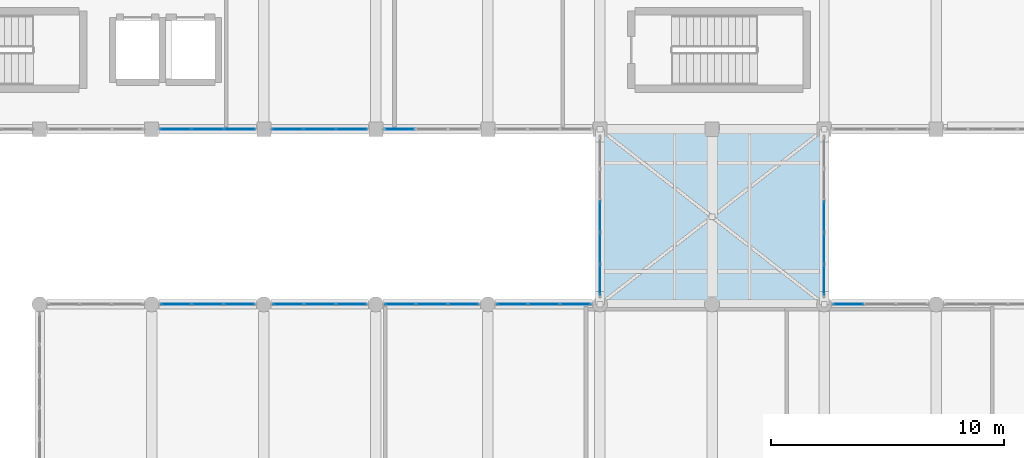
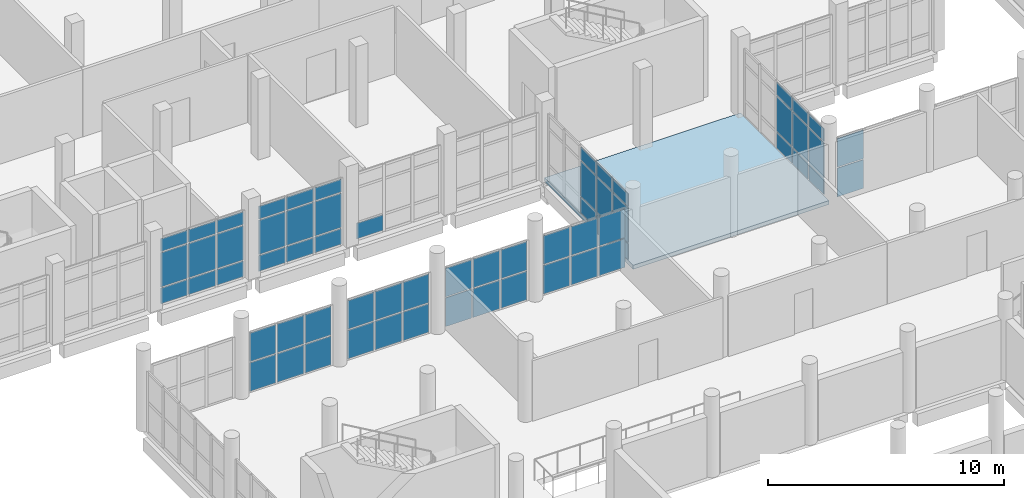
# One storey, part 132 of 164: 63 plates, 1 slab, 10 elements without a shape of their own.
"""IFC4 building model written with IfcOpenShell, lengths in metres."""

from ifc_helpers import new_model, si_unit, direction, frame, origin, origin_2d, place, context, subcontext, project, spatial, polyline, rectangle, outline, extrude, material, layer, layer_set, type_object, element, aggregate, save


model = new_model("IFC4")

# Units and contexts
model_context = context("Model", 3, precision=1e-05, world=origin(), true_north=direction((0.0, 1.0)))
body_context = subcontext(model_context, "Body", "Model", "MODEL_VIEW")
ifc_project = project(units=[si_unit("LENGTHUNIT", "METRE"), si_unit("AREAUNIT", "SQUARE_METRE"), si_unit("VOLUMEUNIT", "CUBIC_METRE"), si_unit("PLANEANGLEUNIT", "RADIAN"), si_unit("MASSUNIT", "GRAM", prefix="KILO")], contexts=[model_context])

# Site, building, storey
site_placement = place(None, origin())
site = spatial("IfcSite", under=ifc_project, at=site_placement, CompositionType="ELEMENT")
building_placement = place(site_placement, origin())
building = spatial("IfcBuilding", under=site, at=building_placement, Name="Mawjan Specialist Oncology Clinic", CompositionType="ELEMENT")
storey_placement = place(building_placement, frame((0.0, 0.0, 5.0)))
storey = spatial("IfcBuildingStorey", under=building, at=storey_placement, Name="L01", CompositionType="ELEMENT", Elevation=5.0)

# Curtain wall, plates
ifc_material_1 = material(Name="Unitised spectrally selective aluminium curtain wall", Category="aluminium")
ifc_layer_1 = layer(ifc_material_1, 0.179931640625, Name="Unitised spectrally selective aluminium curtain wall", Category="aluminium")
ifc_layer_set_1 = layer_set([ifc_layer_1], Name="Unitised spectrally selective aluminium curtain wall")
curtain_wall_type_1 = type_object("IfcCurtainWallType", Name="CW-56", PredefinedType="NOTDEFINED", material=ifc_layer_set_1)
curtain_wall_1_placement = place(storey_placement, origin())
curtain_wall_1 = element("IfcCurtainWall", 1, at=curtain_wall_1_placement, inside=storey, type_object=curtain_wall_type_1, Name="L01 Unitised Curtain Wall CW-L01-104", PredefinedType="NOTDEFINED")
ifc_material_2 = material(Name="Spectrally selective double low-E glazing", Category="glass")
ifc_layer_2 = layer(ifc_material_2, 0.031982421875, Name="Spectrally selective double low-E glazing", Category="glass")
ifc_layer_set_2 = layer_set([ifc_layer_2], Name="Spectrally selective double low-E glazing")
plate_type = type_object("IfcPlateType", Name="CW-P32", PredefinedType="CURTAIN_PANEL", material=ifc_layer_set_2)
plate_1_placement = place(storey_placement, frame((65.844970703125, 75.800048828125, 0.06005859375), z_axis=(0.0, 0.0, 1.0), x_axis=(1.0, 0.0, 0.0)))
plate_1 = element("IfcPlate", 2, at=plate_1_placement, type_object=plate_type, Name="CW-56 panel 1.1", PredefinedType="CURTAIN_PANEL", context=body_context, shape_type="SweptSolid", body=[
    extrude(rectangle(XDim=1.280029296875, YDim=0.031982421875, at=origin_2d()), origin(), (0.0, 0.0, 1.0), 1.47998046875),
])
plate_2_placement = place(storey_placement, frame((65.844970703125, 75.800048828125, 1.60009765625), z_axis=(0.0, 0.0, 1.0), x_axis=(1.0, 0.0, 0.0)))
plate_2 = element("IfcPlate", 3, at=plate_2_placement, type_object=plate_type, Name="CW-56 panel 1.2", PredefinedType="CURTAIN_PANEL", context=body_context, shape_type="SweptSolid", body=[
    extrude(rectangle(XDim=1.280029296875, YDim=0.031982421875, at=origin_2d()), origin(), (0.0, 0.0, 1.0), 1.47998046875),
])
plate_3_placement = place(storey_placement, frame((67.199951171875, 75.800048828125, 0.06005859375), z_axis=(0.0, 0.0, 1.0), x_axis=(1.0, 0.0, 0.0)))
plate_3 = element("IfcPlate", 4, at=plate_3_placement, type_object=plate_type, Name="CW-56 panel 2.1", PredefinedType="CURTAIN_PANEL", context=body_context, shape_type="SweptSolid", body=[
    extrude(rectangle(XDim=1.31005859375, YDim=0.031982421875, at=origin_2d()), origin(), (0.0, 0.0, 1.0), 1.47998046875),
])
plate_4_placement = place(storey_placement, frame((67.199951171875, 75.800048828125, 1.60009765625), z_axis=(0.0, 0.0, 1.0), x_axis=(1.0, 0.0, 0.0)))
plate_4 = element("IfcPlate", 5, at=plate_4_placement, type_object=plate_type, Name="CW-56 panel 2.2", PredefinedType="CURTAIN_PANEL", context=body_context, shape_type="SweptSolid", body=[
    extrude(rectangle(XDim=1.31005859375, YDim=0.031982421875, at=origin_2d()), origin(), (0.0, 0.0, 1.0), 1.47998046875),
])
plate_5_placement = place(storey_placement, frame((68.554931640625, 75.800048828125, 0.06005859375), z_axis=(0.0, 0.0, 1.0), x_axis=(1.0, 0.0, 0.0)))
plate_5 = element("IfcPlate", 6, at=plate_5_placement, type_object=plate_type, Name="CW-56 panel 3.1", PredefinedType="CURTAIN_PANEL", context=body_context, shape_type="SweptSolid", body=[
    extrude(rectangle(XDim=1.280029296875, YDim=0.031982421875, at=origin_2d()), origin(), (0.0, 0.0, 1.0), 1.47998046875),
])
plate_6_placement = place(storey_placement, frame((68.554931640625, 75.800048828125, 1.60009765625), z_axis=(0.0, 0.0, 1.0), x_axis=(1.0, 0.0, 0.0)))
plate_6 = element("IfcPlate", 7, at=plate_6_placement, type_object=plate_type, Name="CW-56 panel 3.2", PredefinedType="CURTAIN_PANEL", context=body_context, shape_type="SweptSolid", body=[
    extrude(rectangle(XDim=1.280029296875, YDim=0.031982421875, at=origin_2d()), origin(), (0.0, 0.0, 1.0), 1.47998046875),
])
aggregate(curtain_wall_1, [plate_1, plate_2, plate_3, plate_4, plate_5, plate_6])

curtain_wall_2_placement = place(storey_placement, origin())
curtain_wall_2 = element("IfcCurtainWall", 8, at=curtain_wall_2_placement, inside=storey, type_object=curtain_wall_type_1, Name="L01 Unitised Curtain Wall CW-L01-105", PredefinedType="NOTDEFINED")
plate_7_placement = place(storey_placement, frame((70.64501953125, 75.800048828125, 0.06005859375), z_axis=(0.0, 0.0, 1.0), x_axis=(1.0, 0.0, 0.0)))
plate_7 = element("IfcPlate", 9, at=plate_7_placement, type_object=plate_type, Name="CW-56 panel 1.1", PredefinedType="CURTAIN_PANEL", context=body_context, shape_type="SweptSolid", body=[
    extrude(rectangle(XDim=1.280029296875, YDim=0.031982421875, at=origin_2d()), origin(), (0.0, 0.0, 1.0), 1.47998046875),
])
plate_8_placement = place(storey_placement, frame((70.64501953125, 75.800048828125, 1.60009765625), z_axis=(0.0, 0.0, 1.0), x_axis=(1.0, 0.0, 0.0)))
plate_8 = element("IfcPlate", 10, at=plate_8_placement, type_object=plate_type, Name="CW-56 panel 1.2", PredefinedType="CURTAIN_PANEL", context=body_context, shape_type="SweptSolid", body=[
    extrude(rectangle(XDim=1.280029296875, YDim=0.031982421875, at=origin_2d()), origin(), (0.0, 0.0, 1.0), 1.47998046875),
])
plate_9_placement = place(storey_placement, frame((72.0, 75.800048828125, 0.06005859375), z_axis=(0.0, 0.0, 1.0), x_axis=(1.0, 0.0, 0.0)))
plate_9 = element("IfcPlate", 11, at=plate_9_placement, type_object=plate_type, Name="CW-56 panel 2.1", PredefinedType="CURTAIN_PANEL", context=body_context, shape_type="SweptSolid", body=[
    extrude(rectangle(XDim=1.31005859375, YDim=0.031982421875, at=origin_2d()), origin(), (0.0, 0.0, 1.0), 1.47998046875),
])
plate_10_placement = place(storey_placement, frame((72.0, 75.800048828125, 1.60009765625), z_axis=(0.0, 0.0, 1.0), x_axis=(1.0, 0.0, 0.0)))
plate_10 = element("IfcPlate", 12, at=plate_10_placement, type_object=plate_type, Name="CW-56 panel 2.2", PredefinedType="CURTAIN_PANEL", context=body_context, shape_type="SweptSolid", body=[
    extrude(rectangle(XDim=1.31005859375, YDim=0.031982421875, at=origin_2d()), origin(), (0.0, 0.0, 1.0), 1.47998046875),
])
plate_11_placement = place(storey_placement, frame((73.35498046875, 75.800048828125, 0.06005859375), z_axis=(0.0, 0.0, 1.0), x_axis=(1.0, 0.0, 0.0)))
plate_11 = element("IfcPlate", 13, at=plate_11_placement, type_object=plate_type, Name="CW-56 panel 3.1", PredefinedType="CURTAIN_PANEL", context=body_context, shape_type="SweptSolid", body=[
    extrude(rectangle(XDim=1.280029296875, YDim=0.031982421875, at=origin_2d()), origin(), (0.0, 0.0, 1.0), 1.47998046875),
])
plate_12_placement = place(storey_placement, frame((73.35498046875, 75.800048828125, 1.60009765625), z_axis=(0.0, 0.0, 1.0), x_axis=(1.0, 0.0, 0.0)))
plate_12 = element("IfcPlate", 14, at=plate_12_placement, type_object=plate_type, Name="CW-56 panel 3.2", PredefinedType="CURTAIN_PANEL", context=body_context, shape_type="SweptSolid", body=[
    extrude(rectangle(XDim=1.280029296875, YDim=0.031982421875, at=origin_2d()), origin(), (0.0, 0.0, 1.0), 1.47998046875),
])
aggregate(curtain_wall_2, [plate_7, plate_8, plate_9, plate_10, plate_11, plate_12])

curtain_wall_3_placement = place(storey_placement, origin())
curtain_wall_3 = element("IfcCurtainWall", 15, at=curtain_wall_3_placement, inside=storey, type_object=curtain_wall_type_1, Name="L01 Unitised Curtain Wall CW-L01-106", PredefinedType="NOTDEFINED")
plate_13_placement = place(storey_placement, frame((75.445068359375, 75.800048828125, 0.06005859375), z_axis=(0.0, 0.0, 1.0), x_axis=(1.0, 0.0, 0.0)))
plate_13 = element("IfcPlate", 16, at=plate_13_placement, type_object=plate_type, Name="CW-56 panel 1.1", PredefinedType="CURTAIN_PANEL", context=body_context, shape_type="SweptSolid", body=[
    extrude(rectangle(XDim=1.280029296875, YDim=0.031982421875, at=origin_2d()), origin(), (0.0, 0.0, 1.0), 1.47998046875),
])
plate_14_placement = place(storey_placement, frame((75.445068359375, 75.800048828125, 1.60009765625), z_axis=(0.0, 0.0, 1.0), x_axis=(1.0, 0.0, 0.0)))
plate_14 = element("IfcPlate", 17, at=plate_14_placement, type_object=plate_type, Name="CW-56 panel 1.2", PredefinedType="CURTAIN_PANEL", context=body_context, shape_type="SweptSolid", body=[
    extrude(rectangle(XDim=1.280029296875, YDim=0.031982421875, at=origin_2d()), origin(), (0.0, 0.0, 1.0), 1.47998046875),
])
plate_15_placement = place(storey_placement, frame((76.800048828125, 75.800048828125, 0.06005859375), z_axis=(0.0, 0.0, 1.0), x_axis=(1.0, 0.0, 0.0)))
plate_15 = element("IfcPlate", 18, at=plate_15_placement, type_object=plate_type, Name="CW-56 panel 2.1", PredefinedType="CURTAIN_PANEL", context=body_context, shape_type="SweptSolid", body=[
    extrude(rectangle(XDim=1.31005859375, YDim=0.031982421875, at=origin_2d()), origin(), (0.0, 0.0, 1.0), 1.47998046875),
])
plate_16_placement = place(storey_placement, frame((76.800048828125, 75.800048828125, 1.60009765625), z_axis=(0.0, 0.0, 1.0), x_axis=(1.0, 0.0, 0.0)))
plate_16 = element("IfcPlate", 19, at=plate_16_placement, type_object=plate_type, Name="CW-56 panel 2.2", PredefinedType="CURTAIN_PANEL", context=body_context, shape_type="SweptSolid", body=[
    extrude(rectangle(XDim=1.31005859375, YDim=0.031982421875, at=origin_2d()), origin(), (0.0, 0.0, 1.0), 1.47998046875),
])
plate_17_placement = place(storey_placement, frame((78.155029296875, 75.800048828125, 0.06005859375), z_axis=(0.0, 0.0, 1.0), x_axis=(1.0, 0.0, 0.0)))
plate_17 = element("IfcPlate", 20, at=plate_17_placement, type_object=plate_type, Name="CW-56 panel 3.1", PredefinedType="CURTAIN_PANEL", context=body_context, shape_type="SweptSolid", body=[
    extrude(rectangle(XDim=1.280029296875, YDim=0.031982421875, at=origin_2d()), origin(), (0.0, 0.0, 1.0), 1.47998046875),
])
plate_18_placement = place(storey_placement, frame((78.155029296875, 75.800048828125, 1.60009765625), z_axis=(0.0, 0.0, 1.0), x_axis=(1.0, 0.0, 0.0)))
plate_18 = element("IfcPlate", 21, at=plate_18_placement, type_object=plate_type, Name="CW-56 panel 3.2", PredefinedType="CURTAIN_PANEL", context=body_context, shape_type="SweptSolid", body=[
    extrude(rectangle(XDim=1.280029296875, YDim=0.031982421875, at=origin_2d()), origin(), (0.0, 0.0, 1.0), 1.47998046875),
])
aggregate(curtain_wall_3, [plate_13, plate_14, plate_15, plate_16, plate_17, plate_18])

curtain_wall_4_placement = place(storey_placement, origin())
curtain_wall_4 = element("IfcCurtainWall", 22, at=curtain_wall_4_placement, inside=storey, type_object=curtain_wall_type_1, Name="L01 Unitised Curtain Wall CW-L01-107", PredefinedType="NOTDEFINED")
plate_19_placement = place(storey_placement, frame((80.2451171875, 75.800048828125, 0.06005859375), z_axis=(0.0, 0.0, 1.0), x_axis=(1.0, 0.0, 0.0)))
plate_19 = element("IfcPlate", 23, at=plate_19_placement, type_object=plate_type, Name="CW-56 panel 1.1", PredefinedType="CURTAIN_PANEL", context=body_context, shape_type="SweptSolid", body=[
    extrude(rectangle(XDim=1.280029296875, YDim=0.031982421875, at=origin_2d()), origin(), (0.0, 0.0, 1.0), 1.47998046875),
])
plate_20_placement = place(storey_placement, frame((80.2451171875, 75.800048828125, 1.60009765625), z_axis=(0.0, 0.0, 1.0), x_axis=(1.0, 0.0, 0.0)))
plate_20 = element("IfcPlate", 24, at=plate_20_placement, type_object=plate_type, Name="CW-56 panel 1.2", PredefinedType="CURTAIN_PANEL", context=body_context, shape_type="SweptSolid", body=[
    extrude(rectangle(XDim=1.280029296875, YDim=0.031982421875, at=origin_2d()), origin(), (0.0, 0.0, 1.0), 1.47998046875),
])
plate_21_placement = place(storey_placement, frame((81.60009765625, 75.800048828125, 0.06005859375), z_axis=(0.0, 0.0, 1.0), x_axis=(1.0, 0.0, 0.0)))
plate_21 = element("IfcPlate", 25, at=plate_21_placement, type_object=plate_type, Name="CW-56 panel 2.1", PredefinedType="CURTAIN_PANEL", context=body_context, shape_type="SweptSolid", body=[
    extrude(rectangle(XDim=1.31005859375, YDim=0.031982421875, at=origin_2d()), origin(), (0.0, 0.0, 1.0), 1.47998046875),
])
plate_22_placement = place(storey_placement, frame((81.60009765625, 75.800048828125, 1.60009765625), z_axis=(0.0, 0.0, 1.0), x_axis=(1.0, 0.0, 0.0)))
plate_22 = element("IfcPlate", 26, at=plate_22_placement, type_object=plate_type, Name="CW-56 panel 2.2", PredefinedType="CURTAIN_PANEL", context=body_context, shape_type="SweptSolid", body=[
    extrude(rectangle(XDim=1.31005859375, YDim=0.031982421875, at=origin_2d()), origin(), (0.0, 0.0, 1.0), 1.47998046875),
])
plate_23_placement = place(storey_placement, frame((82.955078125, 75.800048828125, 0.06005859375), z_axis=(0.0, 0.0, 1.0), x_axis=(1.0, 0.0, 0.0)))
plate_23 = element("IfcPlate", 27, at=plate_23_placement, type_object=plate_type, Name="CW-56 panel 3.1", PredefinedType="CURTAIN_PANEL", context=body_context, shape_type="SweptSolid", body=[
    extrude(rectangle(XDim=1.280029296875, YDim=0.031982421875, at=origin_2d()), origin(), (0.0, 0.0, 1.0), 1.47998046875),
])
plate_24_placement = place(storey_placement, frame((82.955078125, 75.800048828125, 1.60009765625), z_axis=(0.0, 0.0, 1.0), x_axis=(1.0, 0.0, 0.0)))
plate_24 = element("IfcPlate", 28, at=plate_24_placement, type_object=plate_type, Name="CW-56 panel 3.2", PredefinedType="CURTAIN_PANEL", context=body_context, shape_type="SweptSolid", body=[
    extrude(rectangle(XDim=1.280029296875, YDim=0.031982421875, at=origin_2d()), origin(), (0.0, 0.0, 1.0), 1.47998046875),
])
aggregate(curtain_wall_4, [plate_19, plate_20, plate_21, plate_22, plate_23, plate_24])

ifc_material_3 = material(Name="Unitised spectrally selective aluminium curtain wall", Category="aluminium")
ifc_layer_3 = layer(ifc_material_3, 0.179931640625, Name="Unitised spectrally selective aluminium curtain wall", Category="aluminium")
ifc_layer_set_3 = layer_set([ifc_layer_3], Name="Unitised spectrally selective aluminium curtain wall")
curtain_wall_type_2 = type_object("IfcCurtainWallType", Name="CW-57", PredefinedType="NOTDEFINED", material=ifc_layer_set_3)
curtain_wall_5_placement = place(storey_placement, origin())
curtain_wall_5 = element("IfcCurtainWall", 29, at=curtain_wall_5_placement, inside=storey, type_object=curtain_wall_type_2, Name="L01 Unitised Curtain Wall CW-L01-108", PredefinedType="NOTDEFINED")
plate_25_placement = place(storey_placement, frame((84.0, 76.8447265625, 0.06494140625), z_axis=(0.0, 0.0, 1.0), x_axis=(0.0, 1.0, 0.0)))
plate_25 = element("IfcPlate", 30, at=plate_25_placement, type_object=plate_type, Name="CW-57 panel 1.1", PredefinedType="CURTAIN_PANEL", context=body_context, shape_type="SweptSolid", body=[
    extrude(rectangle(XDim=1.26953125, YDim=0.031982421875, at=origin_2d()), origin(), (0.0, 0.0, 1.0), 0.802490234375),
])
plate_26_placement = place(storey_placement, frame((84.0, 76.8447265625, 0.9326171875), z_axis=(0.0, 0.0, 1.0), x_axis=(0.0, 1.0, 0.0)))
plate_26 = element("IfcPlate", 31, at=plate_26_placement, type_object=plate_type, Name="CW-57 panel 1.2", PredefinedType="CURTAIN_PANEL", context=body_context, shape_type="SweptSolid", body=[
    extrude(rectangle(XDim=1.26953125, YDim=0.031982421875, at=origin_2d()), origin(), (0.0, 0.0, 1.0), 1.820068359375),
])
plate_27_placement = place(storey_placement, frame((84.0, 76.8447265625, 2.8173828125), z_axis=(0.0, 0.0, 1.0), x_axis=(0.0, 1.0, 0.0)))
plate_27 = element("IfcPlate", 32, at=plate_27_placement, type_object=plate_type, Name="CW-57 panel 1.3", PredefinedType="CURTAIN_PANEL", context=body_context, shape_type="SweptSolid", body=[
    extrude(rectangle(XDim=1.26953125, YDim=0.031982421875, at=origin_2d()), origin(), (0.0, 0.0, 1.0), 0.652587890625),
])
plate_28_placement = place(storey_placement, frame((84.0, 78.195556640625, 0.06494140625), z_axis=(0.0, 0.0, 1.0), x_axis=(0.0, 1.0, 0.0)))
plate_28 = element("IfcPlate", 33, at=plate_28_placement, type_object=plate_type, Name="CW-57 panel 2.1", PredefinedType="CURTAIN_PANEL", context=body_context, shape_type="SweptSolid", body=[
    extrude(rectangle(XDim=1.302001953125, YDim=0.031982421875, at=origin_2d()), origin(), (0.0, 0.0, 1.0), 0.802490234375),
])
plate_29_placement = place(storey_placement, frame((84.0, 78.195556640625, 0.9326171875), z_axis=(0.0, 0.0, 1.0), x_axis=(0.0, 1.0, 0.0)))
plate_29 = element("IfcPlate", 34, at=plate_29_placement, type_object=plate_type, Name="CW-57 panel 2.2", PredefinedType="CURTAIN_PANEL", context=body_context, shape_type="SweptSolid", body=[
    extrude(rectangle(XDim=1.302001953125, YDim=0.031982421875, at=origin_2d()), origin(), (0.0, 0.0, 1.0), 1.820068359375),
])
plate_30_placement = place(storey_placement, frame((84.0, 78.195556640625, 2.8173828125), z_axis=(0.0, 0.0, 1.0), x_axis=(0.0, 1.0, 0.0)))
plate_30 = element("IfcPlate", 35, at=plate_30_placement, type_object=plate_type, Name="CW-57 panel 2.3", PredefinedType="CURTAIN_PANEL", context=body_context, shape_type="SweptSolid", body=[
    extrude(rectangle(XDim=1.302001953125, YDim=0.031982421875, at=origin_2d()), origin(), (0.0, 0.0, 1.0), 0.652587890625),
])
plate_31_placement = place(storey_placement, frame((84.0, 79.5625, 0.06494140625), z_axis=(0.0, 0.0, 1.0), x_axis=(0.0, 1.0, 0.0)))
plate_31 = element("IfcPlate", 36, at=plate_31_placement, type_object=plate_type, Name="CW-57 panel 3.1", PredefinedType="CURTAIN_PANEL", context=body_context, shape_type="SweptSolid", body=[
    extrude(rectangle(XDim=1.302001953125, YDim=0.031982421875, at=origin_2d()), origin(), (0.0, 0.0, 1.0), 0.802490234375),
])
plate_32_placement = place(storey_placement, frame((84.0, 79.5625, 0.9326171875), z_axis=(0.0, 0.0, 1.0), x_axis=(0.0, 1.0, 0.0)))
plate_32 = element("IfcPlate", 37, at=plate_32_placement, type_object=plate_type, Name="CW-57 panel 3.2", PredefinedType="CURTAIN_PANEL", context=body_context, shape_type="SweptSolid", body=[
    extrude(rectangle(XDim=1.302001953125, YDim=0.031982421875, at=origin_2d()), origin(), (0.0, 0.0, 1.0), 1.820068359375),
])
plate_33_placement = place(storey_placement, frame((84.0, 79.5625, 2.8173828125), z_axis=(0.0, 0.0, 1.0), x_axis=(0.0, 1.0, 0.0)))
plate_33 = element("IfcPlate", 38, at=plate_33_placement, type_object=plate_type, Name="CW-57 panel 3.3", PredefinedType="CURTAIN_PANEL", context=body_context, shape_type="SweptSolid", body=[
    extrude(rectangle(XDim=1.302001953125, YDim=0.031982421875, at=origin_2d()), origin(), (0.0, 0.0, 1.0), 0.652587890625),
])
aggregate(curtain_wall_5, [plate_25, plate_26, plate_27, plate_28, plate_29, plate_30, plate_31, plate_32, plate_33])

# Curtain wall, plate
ifc_material_4 = material(Name="Unitised spectrally selective aluminium curtain wall", Category="aluminium")
ifc_layer_4 = layer(ifc_material_4, 0.179931640625, Name="Unitised spectrally selective aluminium curtain wall", Category="aluminium")
ifc_layer_set_4 = layer_set([ifc_layer_4], Name="Unitised spectrally selective aluminium curtain wall")
curtain_wall_type_3 = type_object("IfcCurtainWallType", Name="CW-58", PredefinedType="NOTDEFINED", material=ifc_layer_set_4)
curtain_wall_6_placement = place(storey_placement, origin())
curtain_wall_6 = element("IfcCurtainWall", 39, at=curtain_wall_6_placement, inside=storey, type_object=curtain_wall_type_3, Name="L01 Unitised Curtain Wall CW-L01-110", PredefinedType="NOTDEFINED")
plate_34_placement = place(storey_placement, frame((75.42822265625, 83.300048828125, 0.06005859375), z_axis=(0.0, 0.0, 1.0), x_axis=(-1.0, 0.0, 0.0)))
plate_34 = element("IfcPlate", 40, at=plate_34_placement, type_object=plate_type, Name="CW-58 panel 3.1", PredefinedType="CURTAIN_PANEL", context=body_context, shape_type="SweptSolid", body=[
    extrude(rectangle(XDim=1.296630859375, YDim=0.031982421875, at=origin_2d()), origin(), (0.0, 0.0, 1.0), 0.81005859375),
])
aggregate(curtain_wall_6, [plate_34])

# Curtain wall, plates
curtain_wall_7_placement = place(storey_placement, origin())
curtain_wall_7 = element("IfcCurtainWall", 41, at=curtain_wall_7_placement, inside=storey, type_object=curtain_wall_type_3, Name="L01 Unitised Curtain Wall CW-L01-111", PredefinedType="NOTDEFINED")
plate_35_placement = place(storey_placement, frame((73.37158203125, 83.300048828125, 0.06005859375), z_axis=(0.0, 0.0, 1.0), x_axis=(-1.0, 0.0, 0.0)))
plate_35 = element("IfcPlate", 42, at=plate_35_placement, type_object=plate_type, Name="CW-58 panel 1.1", PredefinedType="CURTAIN_PANEL", context=body_context, shape_type="SweptSolid", body=[
    extrude(rectangle(XDim=1.296630859375, YDim=0.031982421875, at=origin_2d()), origin(), (0.0, 0.0, 1.0), 0.81005859375),
])
plate_36_placement = place(storey_placement, frame((73.37158203125, 83.300048828125, 0.929931640625), z_axis=(0.0, 0.0, 1.0), x_axis=(-1.0, 0.0, 0.0)))
plate_36 = element("IfcPlate", 43, at=plate_36_placement, type_object=plate_type, Name="CW-58 panel 1.2", PredefinedType="CURTAIN_PANEL", context=body_context, shape_type="SweptSolid", body=[
    extrude(rectangle(XDim=1.296630859375, YDim=0.031982421875, at=origin_2d()), origin(), (0.0, 0.0, 1.0), 1.77490234375),
])
plate_37_placement = place(storey_placement, frame((73.37158203125, 83.300048828125, 2.76513671875), z_axis=(0.0, 0.0, 1.0), x_axis=(-1.0, 0.0, 0.0)))
plate_37 = element("IfcPlate", 44, at=plate_37_placement, type_object=plate_type, Name="CW-58 panel 1.3", PredefinedType="CURTAIN_PANEL", context=body_context, shape_type="SweptSolid", body=[
    extrude(rectangle(XDim=1.296630859375, YDim=0.031982421875, at=origin_2d()), origin(), (0.0, 0.0, 1.0), 0.659912109375),
])
plate_38_placement = place(storey_placement, frame((72.0, 83.300048828125, 0.06005859375), z_axis=(0.0, 0.0, 1.0), x_axis=(-1.0, 0.0, 0.0)))
plate_38 = element("IfcPlate", 45, at=plate_38_placement, type_object=plate_type, Name="CW-58 panel 2.1", PredefinedType="CURTAIN_PANEL", context=body_context, shape_type="SweptSolid", body=[
    extrude(rectangle(XDim=1.32666015625, YDim=0.031982421875, at=origin_2d()), origin(), (0.0, 0.0, 1.0), 0.81005859375),
])
plate_39_placement = place(storey_placement, frame((72.0, 83.300048828125, 0.929931640625), z_axis=(0.0, 0.0, 1.0), x_axis=(-1.0, 0.0, 0.0)))
plate_39 = element("IfcPlate", 46, at=plate_39_placement, type_object=plate_type, Name="CW-58 panel 2.2", PredefinedType="CURTAIN_PANEL", context=body_context, shape_type="SweptSolid", body=[
    extrude(rectangle(XDim=1.32666015625, YDim=0.031982421875, at=origin_2d()), origin(), (0.0, 0.0, 1.0), 1.77490234375),
])
plate_40_placement = place(storey_placement, frame((72.0, 83.300048828125, 2.76513671875), z_axis=(0.0, 0.0, 1.0), x_axis=(-1.0, 0.0, 0.0)))
plate_40 = element("IfcPlate", 47, at=plate_40_placement, type_object=plate_type, Name="CW-58 panel 2.3", PredefinedType="CURTAIN_PANEL", context=body_context, shape_type="SweptSolid", body=[
    extrude(rectangle(XDim=1.32666015625, YDim=0.031982421875, at=origin_2d()), origin(), (0.0, 0.0, 1.0), 0.659912109375),
])
plate_41_placement = place(storey_placement, frame((70.62841796875, 83.300048828125, 0.06005859375), z_axis=(0.0, 0.0, 1.0), x_axis=(-1.0, 0.0, 0.0)))
plate_41 = element("IfcPlate", 48, at=plate_41_placement, type_object=plate_type, Name="CW-58 panel 3.1", PredefinedType="CURTAIN_PANEL", context=body_context, shape_type="SweptSolid", body=[
    extrude(rectangle(XDim=1.296630859375, YDim=0.031982421875, at=origin_2d()), origin(), (0.0, 0.0, 1.0), 0.81005859375),
])
plate_42_placement = place(storey_placement, frame((70.62841796875, 83.300048828125, 0.929931640625), z_axis=(0.0, 0.0, 1.0), x_axis=(-1.0, 0.0, 0.0)))
plate_42 = element("IfcPlate", 49, at=plate_42_placement, type_object=plate_type, Name="CW-58 panel 3.2", PredefinedType="CURTAIN_PANEL", context=body_context, shape_type="SweptSolid", body=[
    extrude(rectangle(XDim=1.296630859375, YDim=0.031982421875, at=origin_2d()), origin(), (0.0, 0.0, 1.0), 1.77490234375),
])
plate_43_placement = place(storey_placement, frame((70.62841796875, 83.300048828125, 2.76513671875), z_axis=(0.0, 0.0, 1.0), x_axis=(-1.0, 0.0, 0.0)))
plate_43 = element("IfcPlate", 50, at=plate_43_placement, type_object=plate_type, Name="CW-58 panel 3.3", PredefinedType="CURTAIN_PANEL", context=body_context, shape_type="SweptSolid", body=[
    extrude(rectangle(XDim=1.296630859375, YDim=0.031982421875, at=origin_2d()), origin(), (0.0, 0.0, 1.0), 0.659912109375),
])
aggregate(curtain_wall_7, [plate_35, plate_36, plate_37, plate_38, plate_39, plate_40, plate_41, plate_42, plate_43])

curtain_wall_8_placement = place(storey_placement, origin())
curtain_wall_8 = element("IfcCurtainWall", 51, at=curtain_wall_8_placement, inside=storey, type_object=curtain_wall_type_3, Name="L01 Unitised Curtain Wall CW-L01-112", PredefinedType="NOTDEFINED")
plate_44_placement = place(storey_placement, frame((68.57177734375, 83.300048828125, 0.06005859375), z_axis=(0.0, 0.0, 1.0), x_axis=(-1.0, 0.0, 0.0)))
plate_44 = element("IfcPlate", 52, at=plate_44_placement, type_object=plate_type, Name="CW-58 panel 1.1", PredefinedType="CURTAIN_PANEL", context=body_context, shape_type="SweptSolid", body=[
    extrude(rectangle(XDim=1.296630859375, YDim=0.031982421875, at=origin_2d()), origin(), (0.0, 0.0, 1.0), 0.81005859375),
])
plate_45_placement = place(storey_placement, frame((68.57177734375, 83.300048828125, 0.929931640625), z_axis=(0.0, 0.0, 1.0), x_axis=(-1.0, 0.0, 0.0)))
plate_45 = element("IfcPlate", 53, at=plate_45_placement, type_object=plate_type, Name="CW-58 panel 1.2", PredefinedType="CURTAIN_PANEL", context=body_context, shape_type="SweptSolid", body=[
    extrude(rectangle(XDim=1.296630859375, YDim=0.031982421875, at=origin_2d()), origin(), (0.0, 0.0, 1.0), 1.77490234375),
])
plate_46_placement = place(storey_placement, frame((68.57177734375, 83.300048828125, 2.76513671875), z_axis=(0.0, 0.0, 1.0), x_axis=(-1.0, 0.0, 0.0)))
plate_46 = element("IfcPlate", 54, at=plate_46_placement, type_object=plate_type, Name="CW-58 panel 1.3", PredefinedType="CURTAIN_PANEL", context=body_context, shape_type="SweptSolid", body=[
    extrude(rectangle(XDim=1.296630859375, YDim=0.031982421875, at=origin_2d()), origin(), (0.0, 0.0, 1.0), 0.659912109375),
])
plate_47_placement = place(storey_placement, frame((67.199951171875, 83.300048828125, 0.06005859375), z_axis=(0.0, 0.0, 1.0), x_axis=(-1.0, 0.0, 0.0)))
plate_47 = element("IfcPlate", 55, at=plate_47_placement, type_object=plate_type, Name="CW-58 panel 2.1", PredefinedType="CURTAIN_PANEL", context=body_context, shape_type="SweptSolid", body=[
    extrude(rectangle(XDim=1.32666015625, YDim=0.031982421875, at=origin_2d()), origin(), (0.0, 0.0, 1.0), 0.81005859375),
])
plate_48_placement = place(storey_placement, frame((67.199951171875, 83.300048828125, 0.929931640625), z_axis=(0.0, 0.0, 1.0), x_axis=(-1.0, 0.0, 0.0)))
plate_48 = element("IfcPlate", 56, at=plate_48_placement, type_object=plate_type, Name="CW-58 panel 2.2", PredefinedType="CURTAIN_PANEL", context=body_context, shape_type="SweptSolid", body=[
    extrude(rectangle(XDim=1.32666015625, YDim=0.031982421875, at=origin_2d()), origin(), (0.0, 0.0, 1.0), 1.77490234375),
])
plate_49_placement = place(storey_placement, frame((67.199951171875, 83.300048828125, 2.76513671875), z_axis=(0.0, 0.0, 1.0), x_axis=(-1.0, 0.0, 0.0)))
plate_49 = element("IfcPlate", 57, at=plate_49_placement, type_object=plate_type, Name="CW-58 panel 2.3", PredefinedType="CURTAIN_PANEL", context=body_context, shape_type="SweptSolid", body=[
    extrude(rectangle(XDim=1.32666015625, YDim=0.031982421875, at=origin_2d()), origin(), (0.0, 0.0, 1.0), 0.659912109375),
])
plate_50_placement = place(storey_placement, frame((65.828369140625, 83.300048828125, 0.06005859375), z_axis=(0.0, 0.0, 1.0), x_axis=(-1.0, 0.0, 0.0)))
plate_50 = element("IfcPlate", 58, at=plate_50_placement, type_object=plate_type, Name="CW-58 panel 3.1", PredefinedType="CURTAIN_PANEL", context=body_context, shape_type="SweptSolid", body=[
    extrude(rectangle(XDim=1.296630859375, YDim=0.031982421875, at=origin_2d()), origin(), (0.0, 0.0, 1.0), 0.81005859375),
])
plate_51_placement = place(storey_placement, frame((65.828369140625, 83.300048828125, 0.929931640625), z_axis=(0.0, 0.0, 1.0), x_axis=(-1.0, 0.0, 0.0)))
plate_51 = element("IfcPlate", 59, at=plate_51_placement, type_object=plate_type, Name="CW-58 panel 3.2", PredefinedType="CURTAIN_PANEL", context=body_context, shape_type="SweptSolid", body=[
    extrude(rectangle(XDim=1.296630859375, YDim=0.031982421875, at=origin_2d()), origin(), (0.0, 0.0, 1.0), 1.77490234375),
])
plate_52_placement = place(storey_placement, frame((65.828369140625, 83.300048828125, 2.76513671875), z_axis=(0.0, 0.0, 1.0), x_axis=(-1.0, 0.0, 0.0)))
plate_52 = element("IfcPlate", 60, at=plate_52_placement, type_object=plate_type, Name="CW-58 panel 3.3", PredefinedType="CURTAIN_PANEL", context=body_context, shape_type="SweptSolid", body=[
    extrude(rectangle(XDim=1.296630859375, YDim=0.031982421875, at=origin_2d()), origin(), (0.0, 0.0, 1.0), 0.659912109375),
])
aggregate(curtain_wall_8, [plate_44, plate_45, plate_46, plate_47, plate_48, plate_49, plate_50, plate_51, plate_52])

curtain_wall_9_placement = place(storey_placement, origin())
curtain_wall_9 = element("IfcCurtainWall", 61, at=curtain_wall_9_placement, inside=storey, type_object=curtain_wall_type_2, Name="L01 Unitised Curtain Wall CW-L01-128", PredefinedType="NOTDEFINED")
plate_53_placement = place(storey_placement, frame((93.60009765625, 79.5625, 0.06494140625), z_axis=(0.0, 0.0, 1.0), x_axis=(0.0, -1.0, 0.0)))
plate_53 = element("IfcPlate", 62, at=plate_53_placement, type_object=plate_type, Name="CW-57 panel 3.1", PredefinedType="CURTAIN_PANEL", context=body_context, shape_type="SweptSolid", body=[
    extrude(rectangle(XDim=1.302001953125, YDim=0.031982421875, at=origin_2d()), origin(), (0.0, 0.0, 1.0), 0.802490234375),
])
plate_54_placement = place(storey_placement, frame((93.60009765625, 79.5625, 0.9326171875), z_axis=(0.0, 0.0, 1.0), x_axis=(0.0, -1.0, 0.0)))
plate_54 = element("IfcPlate", 63, at=plate_54_placement, type_object=plate_type, Name="CW-57 panel 3.2", PredefinedType="CURTAIN_PANEL", context=body_context, shape_type="SweptSolid", body=[
    extrude(rectangle(XDim=1.302001953125, YDim=0.031982421875, at=origin_2d()), origin(), (0.0, 0.0, 1.0), 1.820068359375),
])
plate_55_placement = place(storey_placement, frame((93.60009765625, 79.5625, 2.8173828125), z_axis=(0.0, 0.0, 1.0), x_axis=(0.0, -1.0, 0.0)))
plate_55 = element("IfcPlate", 64, at=plate_55_placement, type_object=plate_type, Name="CW-57 panel 3.3", PredefinedType="CURTAIN_PANEL", context=body_context, shape_type="SweptSolid", body=[
    extrude(rectangle(XDim=1.302001953125, YDim=0.031982421875, at=origin_2d()), origin(), (0.0, 0.0, 1.0), 0.652587890625),
])
plate_56_placement = place(storey_placement, frame((93.60009765625, 78.195556640625, 0.06494140625), z_axis=(0.0, 0.0, 1.0), x_axis=(0.0, -1.0, 0.0)))
plate_56 = element("IfcPlate", 65, at=plate_56_placement, type_object=plate_type, Name="CW-57 panel 4.1", PredefinedType="CURTAIN_PANEL", context=body_context, shape_type="SweptSolid", body=[
    extrude(rectangle(XDim=1.302001953125, YDim=0.031982421875, at=origin_2d()), origin(), (0.0, 0.0, 1.0), 0.802490234375),
])
plate_57_placement = place(storey_placement, frame((93.60009765625, 78.195556640625, 0.9326171875), z_axis=(0.0, 0.0, 1.0), x_axis=(0.0, -1.0, 0.0)))
plate_57 = element("IfcPlate", 66, at=plate_57_placement, type_object=plate_type, Name="CW-57 panel 4.2", PredefinedType="CURTAIN_PANEL", context=body_context, shape_type="SweptSolid", body=[
    extrude(rectangle(XDim=1.302001953125, YDim=0.031982421875, at=origin_2d()), origin(), (0.0, 0.0, 1.0), 1.820068359375),
])
plate_58_placement = place(storey_placement, frame((93.60009765625, 78.195556640625, 2.8173828125), z_axis=(0.0, 0.0, 1.0), x_axis=(0.0, -1.0, 0.0)))
plate_58 = element("IfcPlate", 67, at=plate_58_placement, type_object=plate_type, Name="CW-57 panel 4.3", PredefinedType="CURTAIN_PANEL", context=body_context, shape_type="SweptSolid", body=[
    extrude(rectangle(XDim=1.302001953125, YDim=0.031982421875, at=origin_2d()), origin(), (0.0, 0.0, 1.0), 0.652587890625),
])
plate_59_placement = place(storey_placement, frame((93.60009765625, 76.8447265625, 0.06494140625), z_axis=(0.0, 0.0, 1.0), x_axis=(0.0, -1.0, 0.0)))
plate_59 = element("IfcPlate", 68, at=plate_59_placement, type_object=plate_type, Name="CW-57 panel 5.1", PredefinedType="CURTAIN_PANEL", context=body_context, shape_type="SweptSolid", body=[
    extrude(rectangle(XDim=1.26953125, YDim=0.031982421875, at=origin_2d()), origin(), (0.0, 0.0, 1.0), 0.802490234375),
])
plate_60_placement = place(storey_placement, frame((93.60009765625, 76.8447265625, 0.9326171875), z_axis=(0.0, 0.0, 1.0), x_axis=(0.0, -1.0, 0.0)))
plate_60 = element("IfcPlate", 69, at=plate_60_placement, type_object=plate_type, Name="CW-57 panel 5.2", PredefinedType="CURTAIN_PANEL", context=body_context, shape_type="SweptSolid", body=[
    extrude(rectangle(XDim=1.26953125, YDim=0.031982421875, at=origin_2d()), origin(), (0.0, 0.0, 1.0), 1.820068359375),
])
plate_61_placement = place(storey_placement, frame((93.60009765625, 76.8447265625, 2.8173828125), z_axis=(0.0, 0.0, 1.0), x_axis=(0.0, -1.0, 0.0)))
plate_61 = element("IfcPlate", 70, at=plate_61_placement, type_object=plate_type, Name="CW-57 panel 5.3", PredefinedType="CURTAIN_PANEL", context=body_context, shape_type="SweptSolid", body=[
    extrude(rectangle(XDim=1.26953125, YDim=0.031982421875, at=origin_2d()), origin(), (0.0, 0.0, 1.0), 0.652587890625),
])
aggregate(curtain_wall_9, [plate_53, plate_54, plate_55, plate_56, plate_57, plate_58, plate_59, plate_60, plate_61])

curtain_wall_10_placement = place(storey_placement, origin())
curtain_wall_10 = element("IfcCurtainWall", 71, at=curtain_wall_10_placement, inside=storey, type_object=curtain_wall_type_1, Name="L01 Unitised Curtain Wall CW-L01-129", PredefinedType="NOTDEFINED")
plate_62_placement = place(storey_placement, frame((94.64501953125, 75.800048828125, 0.06005859375), z_axis=(0.0, 0.0, 1.0), x_axis=(1.0, 0.0, 0.0)))
plate_62 = element("IfcPlate", 72, at=plate_62_placement, type_object=plate_type, Name="CW-56 panel 1.1", PredefinedType="CURTAIN_PANEL", context=body_context, shape_type="SweptSolid", body=[
    extrude(rectangle(XDim=1.280029296875, YDim=0.031982421875, at=origin_2d()), origin(), (0.0, 0.0, 1.0), 1.47998046875),
])
plate_63_placement = place(storey_placement, frame((94.64501953125, 75.800048828125, 1.60009765625), z_axis=(0.0, 0.0, 1.0), x_axis=(1.0, 0.0, 0.0)))
plate_63 = element("IfcPlate", 73, at=plate_63_placement, type_object=plate_type, Name="CW-56 panel 1.2", PredefinedType="CURTAIN_PANEL", context=body_context, shape_type="SweptSolid", body=[
    extrude(rectangle(XDim=1.280029296875, YDim=0.031982421875, at=origin_2d()), origin(), (0.0, 0.0, 1.0), 1.47998046875),
])
aggregate(curtain_wall_10, [plate_62, plate_63])

# Slab
ifc_material_5 = material(Name="Concrete C35/45", Category="concrete")
ifc_layer_5 = layer(ifc_material_5, 0.199951171875, Name="Concrete C35/45", Category="concrete")
ifc_layer_set_5 = layer_set([ifc_layer_5], Name="Concrete C35/45")
slab_type = type_object("IfcSlabType", Name="FS-200B", PredefinedType="FLOOR", material=ifc_layer_set_5)
slab_placement = place(storey_placement, frame((0.0, 0.0, -0.199951171875)))
element("IfcSlab", 74, at=slab_placement, inside=storey, type_object=slab_type, Name="L01 Day Procedure and Pharmacy Wing Slab SLB-SBR-L01", PredefinedType="FLOOR", context=body_context, shape_type="SweptSolid", body=[
    extrude(outline(polyline([(84.0, 75.800048828125), (93.60009765625, 75.800048828125), (93.60009765625, 83.300048828125), (84.0, 83.300048828125), (84.0, 75.800048828125)])), origin(), (0.0, 0.0, 1.0), 0.199951171875),
])

save(model, "model.ifc")
